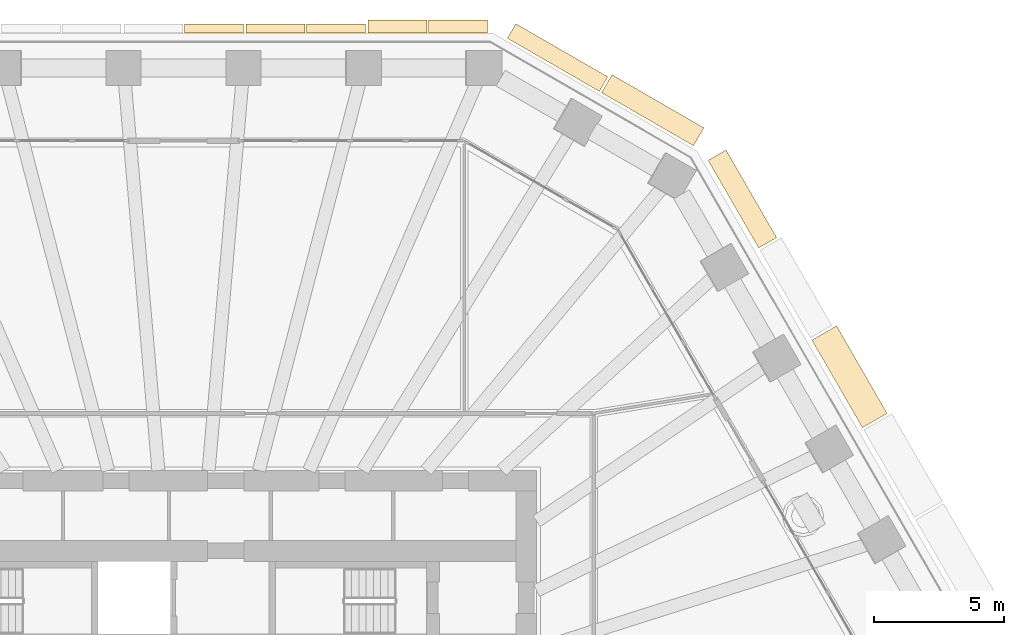
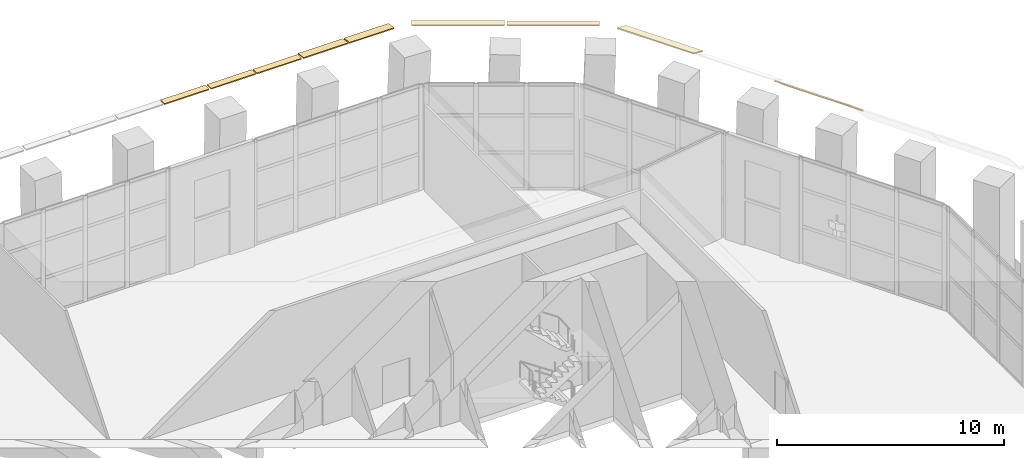
# One storey, part 20 of 22: 9 coverings.
"""IFC4 building model written with IfcOpenShell, lengths in metres."""

from ifc_helpers import new_model, si_unit, direction, frame, origin, place, context, subcontext, project, spatial, polyline, outline, extrude, material, layer, layer_set, type_object, element, save


model = new_model("IFC4")

# Units and contexts
model_context = context("Model", 3, precision=1e-05, world=origin(), true_north=direction((0.0, 1.0)))
body_context = subcontext(model_context, "Body", "Model", "MODEL_VIEW")
ifc_project = project(units=[si_unit("LENGTHUNIT", "METRE"), si_unit("AREAUNIT", "SQUARE_METRE"), si_unit("VOLUMEUNIT", "CUBIC_METRE"), si_unit("PLANEANGLEUNIT", "RADIAN"), si_unit("MASSUNIT", "GRAM", prefix="KILO")], contexts=[model_context])

# Site, building, storey
site_placement = place(None, origin())
site = spatial("IfcSite", under=ifc_project, at=site_placement, CompositionType="ELEMENT")
building_placement = place(site_placement, origin())
building = spatial("IfcBuilding", under=site, at=building_placement, Name="Frailejon Research Tower", CompositionType="ELEMENT")
storey_placement = place(building_placement, frame((0.0, 0.0, 107.199951171875)))
storey = spatial("IfcBuildingStorey", under=building, at=storey_placement, Name="L23", CompositionType="ELEMENT", Elevation=107.199951171875)

# Coverings
ifc_material_1 = material(Name="Precast concrete C50/60", Category="concrete")
ifc_layer_1 = layer(ifc_material_1, 0.06005859375)
ifc_layer_set_1 = layer_set([ifc_layer_1], Name="Brim blade depth 1100")
covering_type_1 = type_object("IfcCoveringType", Name="Brim blade depth 1100", PredefinedType="CLADDING", material=ifc_layer_set_1)
covering_1_placement = place(storey_placement, frame((24.19970703125, 16.221435546875, 5.85009765625), z_axis=(0.499992452251, -0.866029761435, 0.0), x_axis=(0.866029761435, 0.499992452251, 0.0)))
element("IfcCovering", 1, at=covering_1_placement, inside=storey, type_object=covering_type_1, Name="Brim blade L23", PredefinedType="CLADDING", context=body_context, shape_type="SweptSolid", body=[
    extrude(outline(polyline([(0.0, -0.078369140625), (1.10009765625, -1.001220703125), (1.10009765625, -0.923095703125), (0.0, 0.0), (0.0, -0.078369140625)])), origin(), (0.0, 0.0, 1.0), 3.89697265625),
])
ifc_material_2 = material(Name="Precast concrete C50/60", Category="concrete")
ifc_layer_2 = layer(ifc_material_2, 0.06005859375)
ifc_layer_set_2 = layer_set([ifc_layer_2], Name="Brim blade depth 350")
covering_type_2 = type_object("IfcCoveringType", Name="Brim blade depth 350", PredefinedType="CLADDING", material=ifc_layer_set_2)
for number, where, z_axis, x_axis, name in (
    (2, (4.732421875, 28.050048828125, 5.85009765625), (1.0, 0.0, 0.0), (0.0, 1.0, 0.0), "Brim blade L23"),
    (3, (2.401123046875, 28.050048828125, 5.85009765625), (1.0, 0.0, 0.0), (0.0, 1.0, 0.0), "Brim blade L23"),
):
    element("IfcCovering", number, at=place(storey_placement, frame(where, z_axis=z_axis, x_axis=x_axis)), inside=storey, type_object=covering_type_2, Name=name, PredefinedType="CLADDING", context=body_context, shape_type="SweptSolid", body=[
        extrude(outline(polyline([(0.0, -0.06005859375), (0.35009765625, -0.06005859375), (0.35009765625, 0.0), (0.0, 0.0), (0.0, -0.06005859375)])), origin(), (0.0, 0.0, 1.0), 2.271240234375),
    ])
covering_2_placement = place(storey_placement, frame((0.030029296875, 28.050048828125, 5.85009765625), z_axis=(1.0, 0.0, 0.0), x_axis=(0.0, 1.0, 0.0)))
element("IfcCovering", 4, at=covering_2_placement, inside=storey, type_object=covering_type_2, Name="Brim blade L23", PredefinedType="CLADDING", context=body_context, shape_type="SweptSolid", body=[
    extrude(outline(polyline([(0.0, -0.06005859375), (0.35009765625, -0.06005859375), (0.35009765625, 0.0), (0.0, 0.0), (0.0, -0.06005859375)])), origin(), (0.0, 0.0, 1.0), 2.27099609375),
])
ifc_material_3 = material(Name="Precast concrete C50/60", Category="concrete")
ifc_layer_3 = layer(ifc_material_3, 0.06005859375)
ifc_layer_set_3 = layer_set([ifc_layer_3], Name="Brim blade depth 500")
covering_type_3 = type_object("IfcCoveringType", Name="Brim blade depth 500", PredefinedType="CLADDING", material=ifc_layer_set_3)
for number, where, z_axis, x_axis, name in (
    (5, (9.4345703125, 28.050048828125, 5.85009765625), (1.0, 0.0, 0.0), (0.0, 1.0, 0.0), "Brim blade L23"),
    (6, (7.103515625, 28.050048828125, 5.85009765625), (1.0, 0.0, 0.0), (0.0, 1.0, 0.0), "Brim blade L23"),
):
    element("IfcCovering", number, at=place(storey_placement, frame(where, z_axis=z_axis, x_axis=x_axis)), inside=storey, type_object=covering_type_3, Name=name, PredefinedType="CLADDING", context=body_context, shape_type="SweptSolid", body=[
        extrude(outline(polyline([(0.0, -0.060546875), (0.5, -0.130859375), (0.5, -0.0703125), (0.0, 0.0), (0.0, -0.060546875)])), origin(), (0.0, 0.0, 1.0), 2.27099609375),
    ])
ifc_material_4 = material(Name="Precast concrete C50/60", Category="concrete")
ifc_layer_4 = layer(ifc_material_4, 0.06005859375)
ifc_layer_set_4 = layer_set([ifc_layer_4], Name="Brim blade depth 650")
covering_type_4 = type_object("IfcCoveringType", Name="Brim blade depth 650", PredefinedType="CLADDING", material=ifc_layer_set_4)
covering_3_placement = place(storey_placement, frame((12.473876953125, 27.843994140625, 5.85009765625), z_axis=(0.866021344981, -0.500007029989, 0.0), x_axis=(0.500007029989, 0.866021344981, 0.0)))
element("IfcCovering", 7, at=covering_3_placement, inside=storey, type_object=covering_type_4, Name="Brim blade L23", PredefinedType="CLADDING", context=body_context, shape_type="SweptSolid", body=[
    extrude(outline(polyline([(0.0, -0.0625), (0.64990234375, -0.248779296875), (0.64990234375, -0.186279296875), (0.0, 0.0), (0.0, -0.0625)])), origin(), (0.0, 0.0, 1.0), 4.08740234375),
])
ifc_material_5 = material(Name="Precast concrete C50/60", Category="concrete")
ifc_layer_5 = layer(ifc_material_5, 0.06005859375)
ifc_layer_set_5 = layer_set([ifc_layer_5], Name="Brim blade depth 800")
covering_type_5 = type_object("IfcCoveringType", Name="Brim blade depth 800", PredefinedType="CLADDING", material=ifc_layer_set_5)
covering_4_placement = place(storey_placement, frame((20.202880859375, 23.14404296875, 5.85009765625), z_axis=(0.500003286261, -0.866023506452, 0.0), x_axis=(0.866023506452, 0.500003286261, 0.0)))
element("IfcCovering", 8, at=covering_4_placement, inside=storey, type_object=covering_type_5, Name="Brim blade L23", PredefinedType="CLADDING", context=body_context, shape_type="SweptSolid", body=[
    extrude(outline(polyline([(0.0, -0.065673828125), (0.800048828125, -0.421875), (0.800048828125, -0.356201171875), (0.0, 0.0), (0.0, -0.065673828125)])), origin(), (0.0, 0.0, 1.0), 3.896728515625),
])
covering_5_placement = place(storey_placement, frame((16.100341796875, 25.750244140625, 5.85009765625), z_axis=(0.866027315287, -0.499996689166, 0.0), x_axis=(0.499996689166, 0.866027315287, 0.0)))
element("IfcCovering", 9, at=covering_5_placement, inside=storey, type_object=covering_type_5, Name="Brim blade L23", PredefinedType="CLADDING", context=body_context, shape_type="SweptSolid", body=[
    extrude(outline(polyline([(0.0, -0.065673828125), (0.800048828125, -0.421875), (0.800048828125, -0.356201171875), (0.0, 0.0), (0.0, -0.065673828125)])), origin(), (0.0, 0.0, 1.0), 4.087646484375),
])

save(model, "model.ifc")
